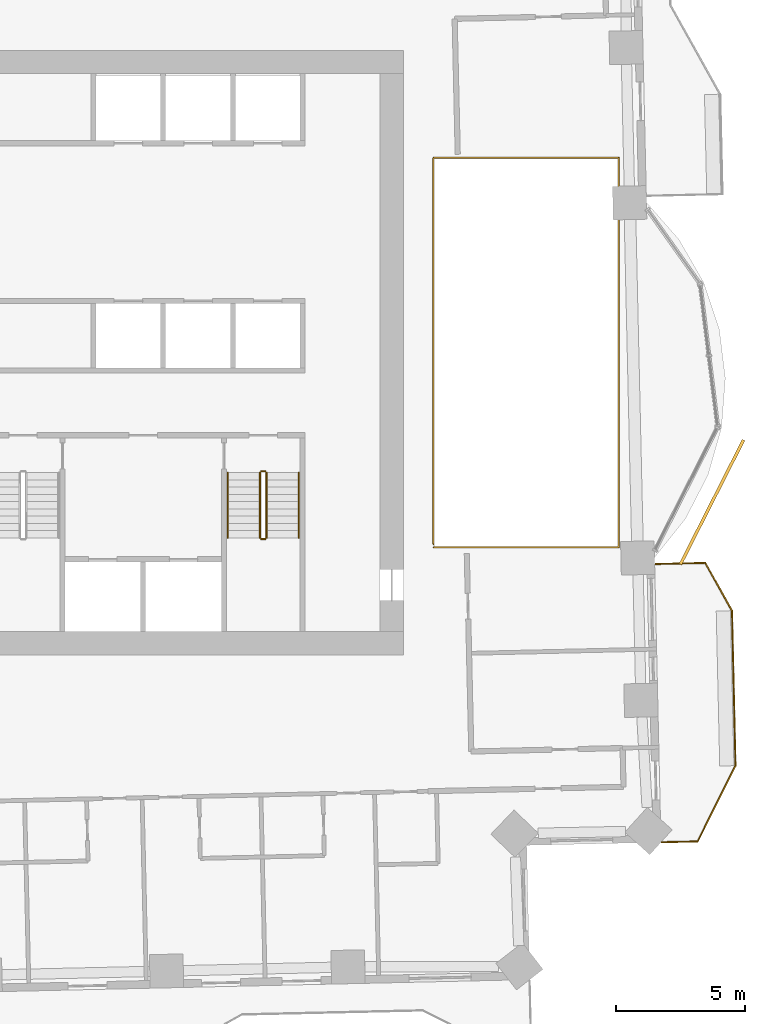
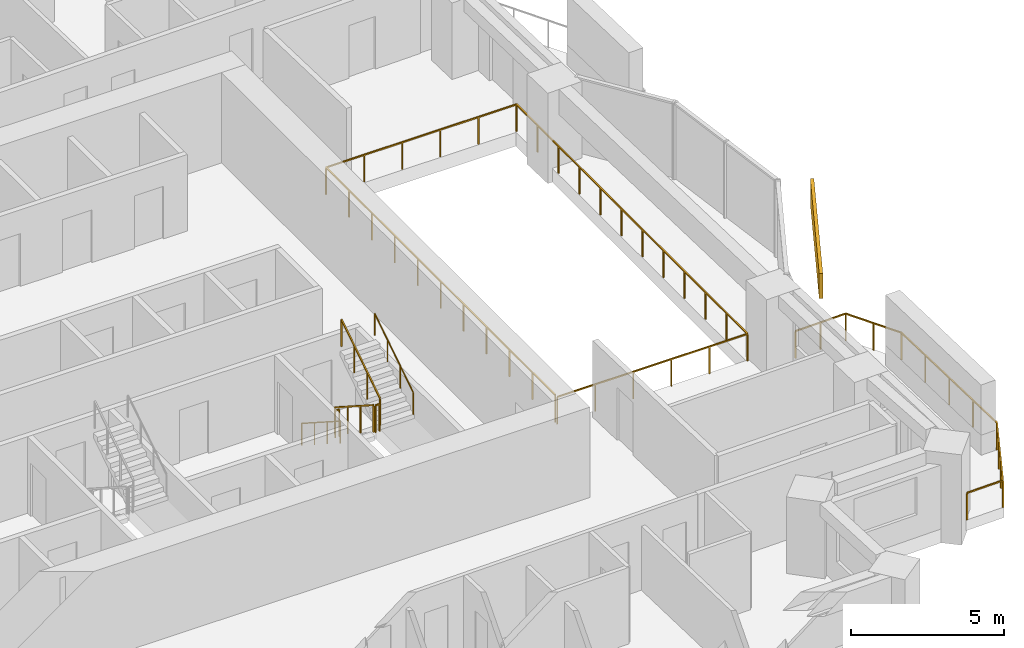
# One storey, part 15 of 16: 8 railings, 1 covering.
"""IFC4 building model written with IfcOpenShell, lengths in metres."""

from ifc_helpers import new_model, si_unit, direction, frame, frame_2d, origin, origin_2d, place, context, subcontext, project, spatial, rectangle, circle, extrude, material, layer, layer_set, type_object, element, save


model = new_model("IFC4")

# Units and contexts
model_context = context("Model", 3, precision=1e-05, world=origin(), true_north=direction((0.0, 1.0)))
body_context = subcontext(model_context, "Body", "Model", "MODEL_VIEW")
ifc_project = project(units=[si_unit("LENGTHUNIT", "METRE"), si_unit("AREAUNIT", "SQUARE_METRE"), si_unit("VOLUMEUNIT", "CUBIC_METRE"), si_unit("PLANEANGLEUNIT", "RADIAN"), si_unit("MASSUNIT", "GRAM", prefix="KILO")], contexts=[model_context])

# Site, building, storey
site_placement = place(None, origin())
site = spatial("IfcSite", under=ifc_project, at=site_placement, CompositionType="ELEMENT")
building_placement = place(site_placement, origin())
building = spatial("IfcBuilding", under=site, at=building_placement, Name="Mangrove Gate Tower", CompositionType="ELEMENT")
storey_placement = place(building_placement, frame((0.0, 0.0, 144.5)))
storey = spatial("IfcBuildingStorey", under=building, at=storey_placement, Name="L36", CompositionType="ELEMENT", Elevation=144.5)

# Railings
ifc_material_1 = material(Name="Stainless steel grade 316 with laminated glass infill", Category="steel")
railing_type_1 = type_object("IfcRailingType", Name="Balcony guard 1100", PredefinedType="GUARDRAIL", material=ifc_material_1)
railing_1_placement = place(storey_placement, frame((24.7109375, -18.95703125, 0.0)))
element("IfcRailing", 1, at=railing_1_placement, inside=storey, type_object=railing_type_1, Name="GUARD L36 E1", PredefinedType="GUARDRAIL", context=body_context, shape_type="SweptSolid", body=[
    extrude(rectangle(XDim=0.048095703125, YDim=0.048095703125, at=origin_2d()), frame((0.0, 0.0, 1.076171875), z_axis=(0.999746572278, 0.022512023879, 0.0), x_axis=(-0.022512023879, 0.999746572278, 0.0)), (0.0, 0.0, 1.0), 1.377197265625),
    extrude(rectangle(XDim=0.048095703125, YDim=0.048095703125, at=origin_2d()), frame((1.376953125, 0.031005859375, 1.076171875), z_axis=(0.4472135955, 0.894427191, 0.0), x_axis=(-0.894427191, 0.4472135955, 0.0)), (0.0, 0.0, 1.0), 3.280517578125),
    extrude(rectangle(XDim=0.048095703125, YDim=0.048095703125, at=origin_2d()), frame((2.843994140625, 2.965087890625, 1.076171875), z_axis=(-0.022665943652, 0.999743094499, 0.0), x_axis=(-0.999743094499, -0.022665943652, 0.0)), (0.0, 0.0, 1.0), 5.99951171875),
    extrude(rectangle(XDim=0.048095703125, YDim=0.048095703125, at=origin_2d()), frame((2.7080078125, 8.963134765625, 1.076171875), z_axis=(-0.487147690962, 0.873319601973, 0.0), x_axis=(-0.873319601973, -0.487147690962, 0.0)), (0.0, 0.0, 1.0), 2.120361328125),
    extrude(rectangle(XDim=0.048095703125, YDim=0.048095703125, at=origin_2d()), frame((1.675048828125, 10.81494140625, 1.076171875), z_axis=(-0.999737880615, -0.022894760625, 0.0), x_axis=(0.022894760625, -0.999737880615, 0.0)), (0.0, 0.0, 1.0), 1.91943359375),
    extrude(rectangle(XDim=0.0419921875, YDim=0.0419921875, at=origin_2d()), origin(), (0.0, 0.0, 1.0), 1.052001953125),
    extrude(rectangle(XDim=0.0419921875, YDim=0.0419921875, at=origin_2d()), frame((1.376953125, 0.031005859375, 0.0)), (0.0, 0.0, 1.0), 1.052001953125),
    extrude(rectangle(XDim=0.0419921875, YDim=0.0419921875, at=origin_2d()), frame((1.865966796875, 1.009033203125, 0.0)), (0.0, 0.0, 1.0), 1.052001953125),
    extrude(rectangle(XDim=0.0419921875, YDim=0.0419921875, at=origin_2d()), frame((2.35498046875, 1.987060546875, 0.0)), (0.0, 0.0, 1.0), 1.052001953125),
    extrude(rectangle(XDim=0.0419921875, YDim=0.0419921875, at=origin_2d()), frame((2.843994140625, 2.965087890625, 0.0)), (0.0, 0.0, 1.0), 1.052001953125),
    extrude(rectangle(XDim=0.0419921875, YDim=0.0419921875, at=origin_2d()), frame((2.81005859375, 4.464599609375, 0.0)), (0.0, 0.0, 1.0), 1.052001953125),
    extrude(rectangle(XDim=0.0419921875, YDim=0.0419921875, at=origin_2d()), frame((2.77587890625, 5.964111328125, 0.0)), (0.0, 0.0, 1.0), 1.052001953125),
    extrude(rectangle(XDim=0.0419921875, YDim=0.0419921875, at=origin_2d()), frame((2.741943359375, 7.463623046875, 0.0)), (0.0, 0.0, 1.0), 1.052001953125),
    extrude(rectangle(XDim=0.0419921875, YDim=0.0419921875, at=origin_2d()), frame((2.7080078125, 8.963134765625, 0.0)), (0.0, 0.0, 1.0), 1.052001953125),
    extrude(rectangle(XDim=0.0419921875, YDim=0.0419921875, at=origin_2d()), frame((2.19140625, 9.88916015625, 0.0)), (0.0, 0.0, 1.0), 1.052001953125),
    extrude(rectangle(XDim=0.0419921875, YDim=0.0419921875, at=origin_2d()), frame((1.675048828125, 10.81494140625, 0.0)), (0.0, 0.0, 1.0), 1.052001953125),
    extrude(rectangle(XDim=0.0419921875, YDim=0.0419921875, at=origin_2d()), frame((0.715576171875, 10.79296875, 0.0)), (0.0, 0.0, 1.0), 1.052001953125),
    extrude(rectangle(XDim=0.0419921875, YDim=0.0419921875, at=origin_2d()), frame((-0.243896484375, 10.77099609375, 0.0)), (0.0, 0.0, 1.0), 1.052001953125),
])
railing_2_placement = place(storey_placement, frame((15.860107421875, -7.5400390625, 0.0)))
element("IfcRailing", 2, at=railing_2_placement, inside=storey, type_object=railing_type_1, Name="GUARD L36 atrium", PredefinedType="GUARDRAIL", context=body_context, shape_type="SweptSolid", body=[
    extrude(rectangle(XDim=0.048095703125, YDim=0.048095703125, at=origin_2d()), frame((0.0, 0.0, 1.076171875), z_axis=(1.0, 0.0, 0.0), x_axis=(0.0, 1.0, 0.0)), (0.0, 0.0, 1.0), 7.1748046875),
    extrude(rectangle(XDim=0.048095703125, YDim=0.048095703125, at=origin_2d()), frame((7.1748046875, 0.0, 1.076171875), z_axis=(0.0, 1.0, 0.0), x_axis=(-1.0, 0.0, 0.0)), (0.0, 0.0, 1.0), 15.080078125),
    extrude(rectangle(XDim=0.048095703125, YDim=0.048095703125, at=origin_2d()), frame((7.1748046875, 15.080078125, 1.076171875), z_axis=(-1.0, 0.0, 0.0), x_axis=(0.0, -1.0, 0.0)), (0.0, 0.0, 1.0), 7.1748046875),
    extrude(rectangle(XDim=0.048095703125, YDim=0.048095703125, at=origin_2d()), frame((0.0, 15.080078125, 1.076171875), z_axis=(0.0, -1.0, 0.0), x_axis=(1.0, 0.0, 0.0)), (0.0, 0.0, 1.0), 14.9599609375),
    extrude(rectangle(XDim=0.0419921875, YDim=0.0419921875, at=origin_2d()), origin(), (0.0, 0.0, 1.0), 1.052001953125),
    extrude(rectangle(XDim=0.0419921875, YDim=0.0419921875, at=origin_2d()), frame((1.43505859375, 0.0, 0.0)), (0.0, 0.0, 1.0), 1.052001953125),
    extrude(rectangle(XDim=0.0419921875, YDim=0.0419921875, at=origin_2d()), frame((2.869873046875, 0.0, 0.0)), (0.0, 0.0, 1.0), 1.052001953125),
    extrude(rectangle(XDim=0.0419921875, YDim=0.0419921875, at=origin_2d()), frame((4.304931640625, 0.0, 0.0)), (0.0, 0.0, 1.0), 1.052001953125),
    extrude(rectangle(XDim=0.0419921875, YDim=0.0419921875, at=origin_2d()), frame((5.73974609375, 0.0, 0.0)), (0.0, 0.0, 1.0), 1.052001953125),
    extrude(rectangle(XDim=0.0419921875, YDim=0.0419921875, at=origin_2d()), frame((7.1748046875, 0.0, 0.0)), (0.0, 0.0, 1.0), 1.052001953125),
    extrude(rectangle(XDim=0.0419921875, YDim=0.0419921875, at=origin_2d()), frame((7.1748046875, 1.370849609375, 0.0)), (0.0, 0.0, 1.0), 1.052001953125),
    extrude(rectangle(XDim=0.0419921875, YDim=0.0419921875, at=origin_2d()), frame((7.1748046875, 2.741943359375, 0.0)), (0.0, 0.0, 1.0), 1.052001953125),
    extrude(rectangle(XDim=0.0419921875, YDim=0.0419921875, at=origin_2d()), frame((7.1748046875, 4.11279296875, 0.0)), (0.0, 0.0, 1.0), 1.052001953125),
    extrude(rectangle(XDim=0.0419921875, YDim=0.0419921875, at=origin_2d()), frame((7.1748046875, 5.483642578125, 0.0)), (0.0, 0.0, 1.0), 1.052001953125),
    extrude(rectangle(XDim=0.0419921875, YDim=0.0419921875, at=origin_2d()), frame((7.1748046875, 6.8544921875, 0.0)), (0.0, 0.0, 1.0), 1.052001953125),
    extrude(rectangle(XDim=0.0419921875, YDim=0.0419921875, at=origin_2d()), frame((7.1748046875, 8.2255859375, 0.0)), (0.0, 0.0, 1.0), 1.052001953125),
    extrude(rectangle(XDim=0.0419921875, YDim=0.0419921875, at=origin_2d()), frame((7.1748046875, 9.596435546875, 0.0)), (0.0, 0.0, 1.0), 1.052001953125),
    extrude(rectangle(XDim=0.0419921875, YDim=0.0419921875, at=origin_2d()), frame((7.1748046875, 10.96728515625, 0.0)), (0.0, 0.0, 1.0), 1.052001953125),
    extrude(rectangle(XDim=0.0419921875, YDim=0.0419921875, at=origin_2d()), frame((7.1748046875, 12.338134765625, 0.0)), (0.0, 0.0, 1.0), 1.052001953125),
    extrude(rectangle(XDim=0.0419921875, YDim=0.0419921875, at=origin_2d()), frame((7.1748046875, 13.709228515625, 0.0)), (0.0, 0.0, 1.0), 1.052001953125),
    extrude(rectangle(XDim=0.0419921875, YDim=0.0419921875, at=origin_2d()), frame((7.1748046875, 15.080078125, 0.0)), (0.0, 0.0, 1.0), 1.052001953125),
    extrude(rectangle(XDim=0.0419921875, YDim=0.0419921875, at=origin_2d()), frame((5.73974609375, 15.080078125, 0.0)), (0.0, 0.0, 1.0), 1.052001953125),
    extrude(rectangle(XDim=0.0419921875, YDim=0.0419921875, at=origin_2d()), frame((4.304931640625, 15.080078125, 0.0)), (0.0, 0.0, 1.0), 1.052001953125),
    extrude(rectangle(XDim=0.0419921875, YDim=0.0419921875, at=origin_2d()), frame((2.869873046875, 15.080078125, 0.0)), (0.0, 0.0, 1.0), 1.052001953125),
    extrude(rectangle(XDim=0.0419921875, YDim=0.0419921875, at=origin_2d()), frame((1.43505859375, 15.080078125, 0.0)), (0.0, 0.0, 1.0), 1.052001953125),
    extrude(rectangle(XDim=0.0419921875, YDim=0.0419921875, at=origin_2d()), frame((0.0, 15.080078125, 0.0)), (0.0, 0.0, 1.0), 1.052001953125),
    extrude(rectangle(XDim=0.0419921875, YDim=0.0419921875, at=origin_2d()), frame((0.0, 13.583984375, 0.0)), (0.0, 0.0, 1.0), 1.052001953125),
    extrude(rectangle(XDim=0.0419921875, YDim=0.0419921875, at=origin_2d()), frame((0.0, 12.088134765625, 0.0)), (0.0, 0.0, 1.0), 1.052001953125),
    extrude(rectangle(XDim=0.0419921875, YDim=0.0419921875, at=origin_2d()), frame((0.0, 10.592041015625, 0.0)), (0.0, 0.0, 1.0), 1.052001953125),
    extrude(rectangle(XDim=0.0419921875, YDim=0.0419921875, at=origin_2d()), frame((0.0, 9.09619140625, 0.0)), (0.0, 0.0, 1.0), 1.052001953125),
    extrude(rectangle(XDim=0.0419921875, YDim=0.0419921875, at=origin_2d()), frame((0.0, 7.60009765625, 0.0)), (0.0, 0.0, 1.0), 1.052001953125),
    extrude(rectangle(XDim=0.0419921875, YDim=0.0419921875, at=origin_2d()), frame((0.0, 6.10400390625, 0.0)), (0.0, 0.0, 1.0), 1.052001953125),
    extrude(rectangle(XDim=0.0419921875, YDim=0.0419921875, at=origin_2d()), frame((0.0, 4.608154296875, 0.0)), (0.0, 0.0, 1.0), 1.052001953125),
    extrude(rectangle(XDim=0.0419921875, YDim=0.0419921875, at=origin_2d()), frame((0.0, 3.112060546875, 0.0)), (0.0, 0.0, 1.0), 1.052001953125),
    extrude(rectangle(XDim=0.0419921875, YDim=0.0419921875, at=origin_2d()), frame((0.0, 1.6162109375, 0.0)), (0.0, 0.0, 1.0), 1.052001953125),
    extrude(rectangle(XDim=0.0419921875, YDim=0.0419921875, at=origin_2d()), frame((0.0, 0.1201171875, 0.0)), (0.0, 0.0, 1.0), 1.052001953125),
])
ifc_material_2 = material(Name="Stainless steel 316", Category="steel")
railing_type_2 = type_object("IfcRailingType", Name="Core stair guard 1100", PredefinedType="GUARDRAIL", material=ifc_material_2)
railing_3_placement = place(storey_placement, frame((9.14990234375, -4.64990234375, 0.179931640625)))
element("IfcRailing", 3, at=railing_3_placement, inside=storey, type_object=railing_type_2, Name="L36 ST3 stair guard 1", PredefinedType="GUARDRAIL", context=body_context, shape_type="SweptSolid", body=[
    extrude(rectangle(XDim=0.048095703125, YDim=0.048095703125, at=origin_2d()), frame((0.0, 0.0, 1.076171875), z_axis=(0.0, -0.841162588446, 0.540782303519), x_axis=(1.0, 0.0, 0.0)), (0.0, 0.0, 1.0), 2.995849609375),
    extrude(rectangle(XDim=0.0419921875, YDim=0.0419921875, at=origin_2d()), origin(), (0.0, 0.0, 1.0), 1.052001953125),
    extrude(rectangle(XDim=0.0419921875, YDim=0.0419921875, at=origin_2d()), frame((0.0, -0.840087890625, 0.5400390625)), (0.0, 0.0, 1.0), 1.052001953125),
    extrude(rectangle(XDim=0.0419921875, YDim=0.0419921875, at=origin_2d()), frame((0.0, -1.679931640625, 1.080078125)), (0.0, 0.0, 1.0), 1.052001953125),
    extrude(rectangle(XDim=0.0419921875, YDim=0.0419921875, at=origin_2d()), frame((0.0, -2.52001953125, 1.6201171875)), (0.0, 0.0, 1.0), 1.052001953125),
])
railing_4_placement = place(storey_placement, frame((9.199951171875, -7.219970703125, 1.800048828125)))
element("IfcRailing", 4, at=railing_4_placement, inside=storey, type_object=railing_type_2, Name="L36 ST3 stair guard 2", PredefinedType="GUARDRAIL", context=body_context, shape_type="SweptSolid", body=[
    extrude(rectangle(XDim=0.048095703125, YDim=0.048095703125, at=origin_2d()), frame((0.0, 0.0, 1.076171875), z_axis=(1.0, 0.0, 0.0), x_axis=(0.0, 1.0, 0.0)), (0.0, 0.0, 1.0), 0.150146484375),
    extrude(rectangle(XDim=0.0419921875, YDim=0.0419921875, at=origin_2d()), origin(), (0.0, 0.0, 1.0), 1.052001953125),
    extrude(rectangle(XDim=0.0419921875, YDim=0.0419921875, at=origin_2d()), frame((0.150146484375, 0.0, 0.0)), (0.0, 0.0, 1.0), 1.052001953125),
])
railing_5_placement = place(storey_placement, frame((9.39990234375, -7.169921875, 1.97998046875)))
element("IfcRailing", 5, at=railing_5_placement, inside=storey, type_object=railing_type_2, Name="L36 ST3 stair guard 3", PredefinedType="GUARDRAIL", context=body_context, shape_type="SweptSolid", body=[
    extrude(rectangle(XDim=0.048095703125, YDim=0.048095703125, at=origin_2d()), frame((0.0, 0.0, 1.076171875), z_axis=(0.0, 0.841162588446, 0.540782303519), x_axis=(-1.0, 0.0, 0.0)), (0.0, 0.0, 1.0), 2.995849609375),
    extrude(rectangle(XDim=0.0419921875, YDim=0.0419921875, at=origin_2d()), origin(), (0.0, 0.0, 1.0), 1.052001953125),
    extrude(rectangle(XDim=0.0419921875, YDim=0.0419921875, at=origin_2d()), frame((0.0, 0.840087890625, 0.5400390625)), (0.0, 0.0, 1.0), 1.052001953125),
    extrude(rectangle(XDim=0.0419921875, YDim=0.0419921875, at=origin_2d()), frame((0.0, 1.679931640625, 1.080078125)), (0.0, 0.0, 1.0), 1.052001953125),
    extrude(rectangle(XDim=0.0419921875, YDim=0.0419921875, at=origin_2d()), frame((0.0, 2.52001953125, 1.6201171875)), (0.0, 0.0, 1.0), 1.052001953125),
])
railing_6_placement = place(storey_placement, frame((9.199951171875, -4.60009765625, 0.0)))
element("IfcRailing", 6, at=railing_6_placement, inside=storey, type_object=railing_type_2, Name="L36 ST3 stair guard 4", PredefinedType="GUARDRAIL", context=body_context, shape_type="SweptSolid", body=[
    extrude(rectangle(XDim=0.048095703125, YDim=0.048095703125, at=origin_2d()), frame((0.0, 0.0, 1.076171875), z_axis=(1.0, 0.0, 0.0), x_axis=(0.0, 1.0, 0.0)), (0.0, 0.0, 1.0), 0.150146484375),
    extrude(rectangle(XDim=0.0419921875, YDim=0.0419921875, at=origin_2d()), origin(), (0.0, 0.0, 1.0), 1.052001953125),
    extrude(rectangle(XDim=0.0419921875, YDim=0.0419921875, at=origin_2d()), frame((0.150146484375, 0.0, 0.0)), (0.0, 0.0, 1.0), 1.052001953125),
])
ifc_material_3 = material(Name="Stainless steel 316", Category="steel")
railing_type_3 = type_object("IfcRailingType", Name="Core stair handrail 900", PredefinedType="HANDRAIL", material=ifc_material_3)
railing_7_placement = place(storey_placement, frame((7.89990234375, -4.64990234375, 0.179931640625)))
element("IfcRailing", 7, at=railing_7_placement, inside=storey, type_object=railing_type_3, Name="L36 ST3 stair handrail 1", PredefinedType="HANDRAIL", context=body_context, shape_type="SweptSolid", body=[
    extrude(circle(Radius=0.02392578125, at=origin_2d()), frame((0.0, 0.0, 0.8759765625), z_axis=(0.0, -0.841162588446, 0.540782303519), x_axis=(1.0, 0.0, 0.0)), (0.0, 0.0, 1.0), 2.995849609375),
    extrude(circle(Radius=0.02099609375, at=origin_2d()), origin(), (0.0, 0.0, 1.0), 0.851806640625),
    extrude(circle(Radius=0.02099609375, at=origin_2d()), frame((0.0, -0.840087890625, 0.5400390625)), (0.0, 0.0, 1.0), 0.851806640625),
    extrude(circle(Radius=0.02099609375, at=origin_2d()), frame((0.0, -1.679931640625, 1.080078125)), (0.0, 0.0, 1.0), 0.851806640625),
    extrude(circle(Radius=0.02099609375, at=origin_2d()), frame((0.0, -2.52001953125, 1.6201171875)), (0.0, 0.0, 1.0), 0.851806640625),
])
railing_8_placement = place(storey_placement, frame((10.64990234375, -7.169921875, 1.97998046875)))
element("IfcRailing", 8, at=railing_8_placement, inside=storey, type_object=railing_type_3, Name="L36 ST3 stair handrail 2", PredefinedType="HANDRAIL", context=body_context, shape_type="SweptSolid", body=[
    extrude(circle(Radius=0.02392578125, at=origin_2d()), frame((0.0, 0.0, 0.8759765625), z_axis=(0.0, 0.841162588446, 0.540782303519), x_axis=(-1.0, 0.0, 0.0)), (0.0, 0.0, 1.0), 2.995849609375),
    extrude(circle(Radius=0.02099609375, at=origin_2d()), origin(), (0.0, 0.0, 1.0), 0.851806640625),
    extrude(circle(Radius=0.02099609375, at=origin_2d()), frame((0.0, 0.840087890625, 0.5400390625)), (0.0, 0.0, 1.0), 0.851806640625),
    extrude(circle(Radius=0.02099609375, at=origin_2d()), frame((0.0, 1.679931640625, 1.080078125)), (0.0, 0.0, 1.0), 0.851806640625),
    extrude(circle(Radius=0.02099609375, at=origin_2d()), frame((0.0, 2.52001953125, 1.6201171875)), (0.0, 0.0, 1.0), 0.851806640625),
])

# Covering
ifc_material_4 = material(Name="Limestone", Category="masonry")
ifc_layer_1 = layer(ifc_material_4, 0.0400390625, Name="Limestone cladding")
ifc_material_5 = material(Name="Stainless steel anchors and cavity", Category="steel")
ifc_layer_2 = layer(ifc_material_5, 0.080078125, Name="Fixing cavity")
ifc_layer_set = layer_set([ifc_layer_1, ifc_layer_2], Name="Joint fascia cladding 120")
covering_type = type_object("IfcCoveringType", Name="Joint fascia cladding 120", PredefinedType="CLADDING", material=ifc_layer_set)
covering_placement = place(storey_placement, frame((25.424072265625, -8.198974609375, 2.050048828125), z_axis=(0.0, 0.0, 1.0), x_axis=(0.45266802131, 0.891679125293, 0.0)))
element("IfcCovering", 9, at=covering_placement, inside=storey, type_object=covering_type, Name="STONE FASCIA L36 E1.L1", PredefinedType="CLADDING", context=body_context, shape_type="SweptSolid", body=[
    extrude(rectangle(XDim=5.398681640625, YDim=0.1201171875, at=frame_2d((2.69921875, 0.0))), origin(), (0.0, 0.0, 1.0), 1.0),
])

save(model, "model.ifc")
